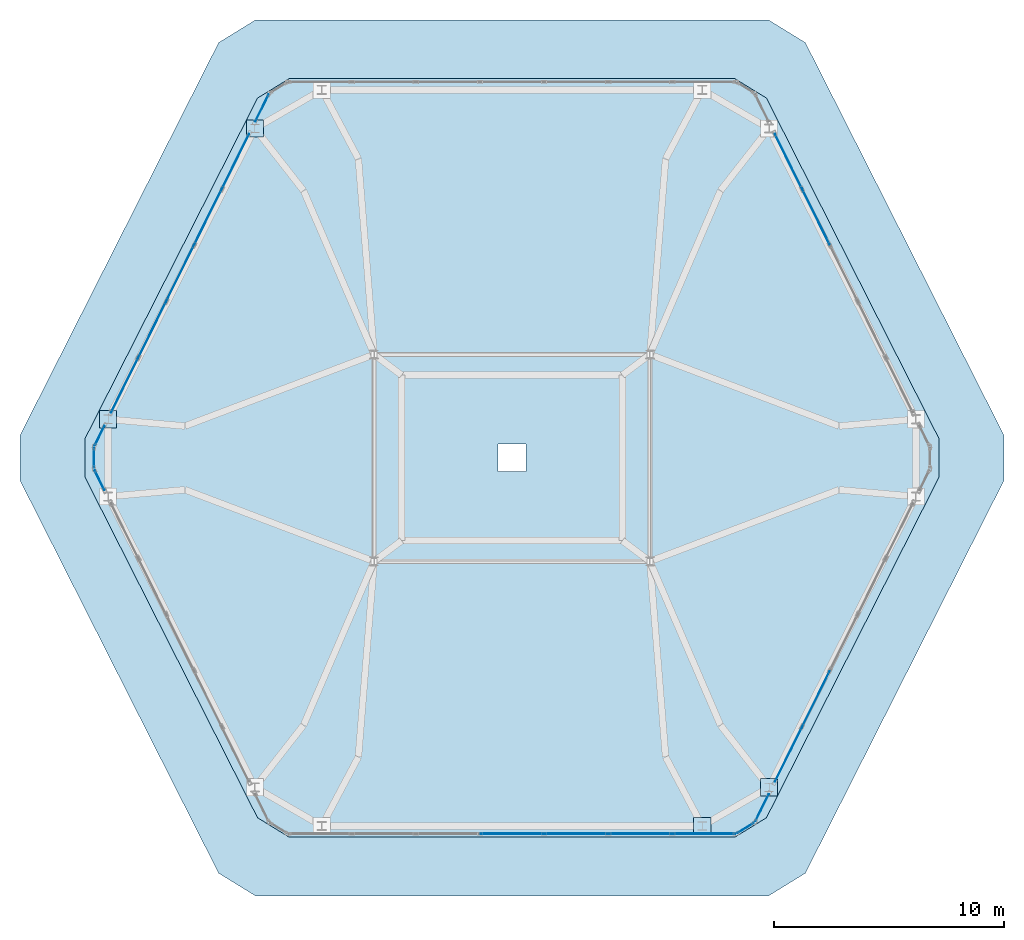
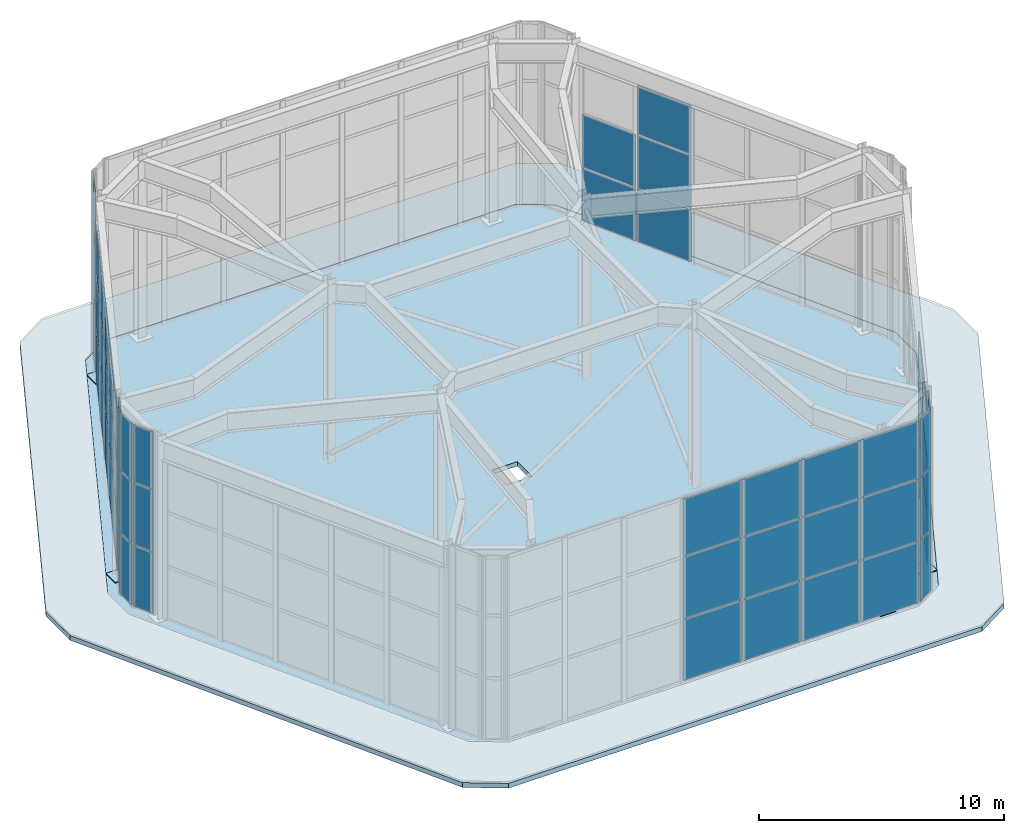
# One storey, part 10 of 12: 60 plates, 2 slabs, 10 elements without a shape of their own.
"""IFC4 building model written with IfcOpenShell, lengths in metres."""

from ifc_helpers import new_model, si_unit, direction, frame, origin, origin_2d, place, context, subcontext, project, spatial, polyline, rectangle, outline, extrude, material, layer, layer_set, type_object, element, aggregate, save


model = new_model("IFC4")

# Units and contexts
model_context = context("Model", 3, precision=1e-05, world=origin(), true_north=direction((0.0, 1.0)))
body_context = subcontext(model_context, "Body", "Model", "MODEL_VIEW")
ifc_project = project(units=[si_unit("LENGTHUNIT", "METRE"), si_unit("AREAUNIT", "SQUARE_METRE"), si_unit("VOLUMEUNIT", "CUBIC_METRE"), si_unit("PLANEANGLEUNIT", "RADIAN"), si_unit("MASSUNIT", "GRAM", prefix="KILO")], contexts=[model_context])

# Site, building, storey
site_placement = place(None, origin())
site = spatial("IfcSite", under=ifc_project, at=site_placement, CompositionType="ELEMENT")
building_placement = place(site_placement, origin())
building = spatial("IfcBuilding", under=site, at=building_placement, Name="Cinnabar Lancet Tower", CompositionType="ELEMENT")
storey_placement = place(building_placement, frame((0.0, 0.0, 305.5)))
storey = spatial("IfcBuildingStorey", under=building, at=storey_placement, Name="L80", CompositionType="ELEMENT", Elevation=305.5)

# Curtain wall, plates
ifc_material_1 = material(Name="Thermally broken bronze-anodized aluminium and low-E glass", Category="aluminium")
ifc_layer_1 = layer(ifc_material_1, 0.179931640625)
ifc_layer_set_1 = layer_set([ifc_layer_1], Name="Thermally broken bronze-anodized aluminium and low-E glass")
curtain_wall_type = type_object("IfcCurtainWallType", Name="ENV-CW-SYS-05", PredefinedType="NOTDEFINED", material=ifc_layer_set_1)
curtain_wall_1_placement = place(storey_placement, origin())
curtain_wall_1 = element("IfcCurtainWall", 1, at=curtain_wall_1_placement, inside=storey, type_object=curtain_wall_type, Name="L80 Faceted Lancet Crown Curtain Wall 2", PredefinedType="NOTDEFINED")
ifc_material_2 = material(Name="Acoustic solar-control low-E laminated glass unit", Category="glass")
ifc_layer_2 = layer(ifc_material_2, 0.035888671875)
ifc_layer_set_2 = layer_set([ifc_layer_2], Name="Acoustic solar-control low-E laminated glass unit")
plate_type_1 = type_object("IfcPlateType", Name="ENV-CW-PNL-36", PredefinedType="CURTAIN_PANEL", material=ifc_layer_set_2)
plate_1_placement = place(storey_placement, frame((32.39990234375, 9.449951171875, 0.06005859375), z_axis=(0.0, 0.0, 1.0), x_axis=(1.0, 0.0, 0.0)))
plate_1 = element("IfcPlate", 2, at=plate_1_placement, type_object=plate_type_1, Name="CW-05 panel 4.1", PredefinedType="CURTAIN_PANEL", context=body_context, shape_type="SweptSolid", body=[
    extrude(rectangle(XDim=2.730224609375, YDim=0.028076171875, at=origin_2d()), origin(), (0.0, 0.0, 1.0), 3.030029296875),
])
plate_2_placement = place(storey_placement, frame((32.39990234375, 9.449951171875, 3.14990234375), z_axis=(0.0, 0.0, 1.0), x_axis=(1.0, 0.0, 0.0)))
plate_2 = element("IfcPlate", 3, at=plate_2_placement, type_object=plate_type_1, Name="CW-05 panel 4.2", PredefinedType="CURTAIN_PANEL", context=body_context, shape_type="SweptSolid", body=[
    extrude(rectangle(XDim=2.730224609375, YDim=0.028076171875, at=origin_2d()), origin(), (0.0, 0.0, 1.0), 3.05908203125),
])
plate_3_placement = place(storey_placement, frame((32.39990234375, 9.449951171875, 6.26904296875), z_axis=(0.0, 0.0, 1.0), x_axis=(1.0, 0.0, 0.0)))
plate_3 = element("IfcPlate", 4, at=plate_3_placement, type_object=plate_type_1, Name="CW-05 panel 4.3", PredefinedType="CURTAIN_PANEL", context=body_context, shape_type="SweptSolid", body=[
    extrude(rectangle(XDim=2.730224609375, YDim=0.028076171875, at=origin_2d()), origin(), (0.0, 0.0, 1.0), 2.845947265625),
])
plate_4_placement = place(storey_placement, frame((35.190185546875, 9.449951171875, 0.06005859375), z_axis=(0.0, 0.0, 1.0), x_axis=(1.0, 0.0, 0.0)))
plate_4 = element("IfcPlate", 5, at=plate_4_placement, type_object=plate_type_1, Name="CW-05 panel 5.1", PredefinedType="CURTAIN_PANEL", context=body_context, shape_type="SweptSolid", body=[
    extrude(rectangle(XDim=2.730224609375, YDim=0.028076171875, at=origin_2d()), origin(), (0.0, 0.0, 1.0), 3.030029296875),
])
plate_5_placement = place(storey_placement, frame((35.190185546875, 9.449951171875, 3.14990234375), z_axis=(0.0, 0.0, 1.0), x_axis=(1.0, 0.0, 0.0)))
plate_5 = element("IfcPlate", 6, at=plate_5_placement, type_object=plate_type_1, Name="CW-05 panel 5.2", PredefinedType="CURTAIN_PANEL", context=body_context, shape_type="SweptSolid", body=[
    extrude(rectangle(XDim=2.730224609375, YDim=0.028076171875, at=origin_2d()), origin(), (0.0, 0.0, 1.0), 3.05908203125),
])
plate_6_placement = place(storey_placement, frame((35.190185546875, 9.449951171875, 6.26904296875), z_axis=(0.0, 0.0, 1.0), x_axis=(1.0, 0.0, 0.0)))
plate_6 = element("IfcPlate", 7, at=plate_6_placement, type_object=plate_type_1, Name="CW-05 panel 5.3", PredefinedType="CURTAIN_PANEL", context=body_context, shape_type="SweptSolid", body=[
    extrude(rectangle(XDim=2.730224609375, YDim=0.028076171875, at=origin_2d()), origin(), (0.0, 0.0, 1.0), 2.845947265625),
])
plate_7_placement = place(storey_placement, frame((37.98046875, 9.449951171875, 0.06005859375), z_axis=(0.0, 0.0, 1.0), x_axis=(1.0, 0.0, 0.0)))
plate_7 = element("IfcPlate", 8, at=plate_7_placement, type_object=plate_type_1, Name="CW-05 panel 6.1", PredefinedType="CURTAIN_PANEL", context=body_context, shape_type="SweptSolid", body=[
    extrude(rectangle(XDim=2.730224609375, YDim=0.028076171875, at=origin_2d()), origin(), (0.0, 0.0, 1.0), 3.030029296875),
])
plate_8_placement = place(storey_placement, frame((37.98046875, 9.449951171875, 3.14990234375), z_axis=(0.0, 0.0, 1.0), x_axis=(1.0, 0.0, 0.0)))
plate_8 = element("IfcPlate", 9, at=plate_8_placement, type_object=plate_type_1, Name="CW-05 panel 6.2", PredefinedType="CURTAIN_PANEL", context=body_context, shape_type="SweptSolid", body=[
    extrude(rectangle(XDim=2.730224609375, YDim=0.028076171875, at=origin_2d()), origin(), (0.0, 0.0, 1.0), 3.05908203125),
])
plate_9_placement = place(storey_placement, frame((37.98046875, 9.449951171875, 6.26904296875), z_axis=(0.0, 0.0, 1.0), x_axis=(1.0, 0.0, 0.0)))
plate_9 = element("IfcPlate", 10, at=plate_9_placement, type_object=plate_type_1, Name="CW-05 panel 6.3", PredefinedType="CURTAIN_PANEL", context=body_context, shape_type="SweptSolid", body=[
    extrude(rectangle(XDim=2.730224609375, YDim=0.028076171875, at=origin_2d()), origin(), (0.0, 0.0, 1.0), 2.845947265625),
])
plate_10_placement = place(storey_placement, frame((40.755859375, 9.449951171875, 0.06005859375), z_axis=(0.0, 0.0, 1.0), x_axis=(1.0, 0.0, 0.0)))
plate_10 = element("IfcPlate", 11, at=plate_10_placement, type_object=plate_type_1, Name="CW-05 panel 7.1", PredefinedType="CURTAIN_PANEL", context=body_context, shape_type="SweptSolid", body=[
    extrude(rectangle(XDim=2.7001953125, YDim=0.028076171875, at=origin_2d()), origin(), (0.0, 0.0, 1.0), 3.030029296875),
])
plate_11_placement = place(storey_placement, frame((40.755859375, 9.449951171875, 3.14990234375), z_axis=(0.0, 0.0, 1.0), x_axis=(1.0, 0.0, 0.0)))
plate_11 = element("IfcPlate", 12, at=plate_11_placement, type_object=plate_type_1, Name="CW-05 panel 7.2", PredefinedType="CURTAIN_PANEL", context=body_context, shape_type="SweptSolid", body=[
    extrude(rectangle(XDim=2.7001953125, YDim=0.028076171875, at=origin_2d()), origin(), (0.0, 0.0, 1.0), 3.05908203125),
])
plate_12_placement = place(storey_placement, frame((40.755859375, 9.449951171875, 6.26904296875), z_axis=(0.0, 0.0, 1.0), x_axis=(1.0, 0.0, 0.0)))
plate_12 = element("IfcPlate", 13, at=plate_12_placement, type_object=plate_type_1, Name="CW-05 panel 7.3", PredefinedType="CURTAIN_PANEL", context=body_context, shape_type="SweptSolid", body=[
    extrude(rectangle(XDim=2.7001953125, YDim=0.028076171875, at=origin_2d()), origin(), (0.0, 0.0, 1.0), 2.845947265625),
])
aggregate(curtain_wall_1, [plate_1, plate_2, plate_3, plate_4, plate_5, plate_6, plate_7, plate_8, plate_9, plate_10, plate_11, plate_12])

curtain_wall_2_placement = place(storey_placement, origin())
curtain_wall_2 = element("IfcCurtainWall", 14, at=curtain_wall_2_placement, inside=storey, type_object=curtain_wall_type, Name="L80 Faceted Lancet Crown Curtain Wall 3", PredefinedType="NOTDEFINED")
plate_13_placement = place(storey_placement, frame((42.56298828125, 9.696533203125, 0.06005859375), z_axis=(0.0, 0.0, 1.0), x_axis=(0.849557497009, 0.527496027734, 0.0)))
plate_13 = element("IfcPlate", 15, at=plate_13_placement, type_object=plate_type_1, Name="CW-05 panel 1.1", PredefinedType="CURTAIN_PANEL", context=body_context, shape_type="SweptSolid", body=[
    extrude(rectangle(XDim=0.814697265625, YDim=0.028076171875, at=origin_2d()), origin(), (0.0, 0.0, 1.0), 3.030029296875),
])
plate_14_placement = place(storey_placement, frame((42.56298828125, 9.696533203125, 3.14990234375), z_axis=(0.0, 0.0, 1.0), x_axis=(0.849557497009, 0.527496027734, 0.0)))
plate_14 = element("IfcPlate", 16, at=plate_14_placement, type_object=plate_type_1, Name="CW-05 panel 1.2", PredefinedType="CURTAIN_PANEL", context=body_context, shape_type="SweptSolid", body=[
    extrude(rectangle(XDim=0.814697265625, YDim=0.028076171875, at=origin_2d()), origin(), (0.0, 0.0, 1.0), 3.05908203125),
])
plate_15_placement = place(storey_placement, frame((42.56298828125, 9.696533203125, 6.26904296875), z_axis=(0.0, 0.0, 1.0), x_axis=(0.849557497009, 0.527496027734, 0.0)))
plate_15 = element("IfcPlate", 17, at=plate_15_placement, type_object=plate_type_1, Name="CW-05 panel 1.3", PredefinedType="CURTAIN_PANEL", context=body_context, shape_type="SweptSolid", body=[
    extrude(rectangle(XDim=0.814697265625, YDim=0.028076171875, at=origin_2d()), origin(), (0.0, 0.0, 1.0), 2.845947265625),
])
aggregate(curtain_wall_2, [plate_13, plate_14, plate_15])

curtain_wall_3_placement = place(storey_placement, origin())
curtain_wall_3 = element("IfcCurtainWall", 18, at=curtain_wall_3_placement, inside=storey, type_object=curtain_wall_type, Name="L80 Faceted Lancet Crown Curtain Wall 4", PredefinedType="NOTDEFINED")
plate_16_placement = place(storey_placement, frame((43.278076171875, 10.583984375, 0.06005859375), z_axis=(0.0, 0.0, 1.0), x_axis=(0.444416340533, 0.895820359373, 0.0)))
plate_16 = element("IfcPlate", 19, at=plate_16_placement, type_object=plate_type_1, Name="CW-05 panel 1.1", PredefinedType="CURTAIN_PANEL", context=body_context, shape_type="SweptSolid", body=[
    extrude(rectangle(XDim=1.31103515625, YDim=0.028076171875, at=origin_2d()), origin(), (0.0, 0.0, 1.0), 3.030029296875),
])
plate_17_placement = place(storey_placement, frame((43.278076171875, 10.583984375, 3.14990234375), z_axis=(0.0, 0.0, 1.0), x_axis=(0.444416340533, 0.895820359373, 0.0)))
plate_17 = element("IfcPlate", 20, at=plate_17_placement, type_object=plate_type_1, Name="CW-05 panel 1.2", PredefinedType="CURTAIN_PANEL", context=body_context, shape_type="SweptSolid", body=[
    extrude(rectangle(XDim=1.31103515625, YDim=0.028076171875, at=origin_2d()), origin(), (0.0, 0.0, 1.0), 3.05908203125),
])
plate_18_placement = place(storey_placement, frame((43.278076171875, 10.583984375, 6.26904296875), z_axis=(0.0, 0.0, 1.0), x_axis=(0.444416340533, 0.895820359373, 0.0)))
plate_18 = element("IfcPlate", 21, at=plate_18_placement, type_object=plate_type_1, Name="CW-05 panel 1.3", PredefinedType="CURTAIN_PANEL", context=body_context, shape_type="SweptSolid", body=[
    extrude(rectangle(XDim=1.31103515625, YDim=0.028076171875, at=origin_2d()), origin(), (0.0, 0.0, 1.0), 2.845947265625),
])
aggregate(curtain_wall_3, [plate_16, plate_17, plate_18])

curtain_wall_4_placement = place(storey_placement, origin())
curtain_wall_4 = element("IfcCurtainWall", 22, at=curtain_wall_4_placement, inside=storey, type_object=curtain_wall_type, Name="L80 Faceted Lancet Crown Curtain Wall 5", PredefinedType="NOTDEFINED")
plate_19_placement = place(storey_placement, frame((44.423095703125, 12.893798828125, 0.06005859375), z_axis=(0.0, 0.0, 1.0), x_axis=(0.44415945955, 0.8959477521, 0.0)))
plate_19 = element("IfcPlate", 23, at=plate_19_placement, type_object=plate_type_1, Name="CW-05 panel 1.1", PredefinedType="CURTAIN_PANEL", context=body_context, shape_type="SweptSolid", body=[
    extrude(rectangle(XDim=2.636474609375, YDim=0.028076171875, at=origin_2d()), origin(), (0.0, 0.0, 1.0), 2.60107421875),
])
plate_20_placement = place(storey_placement, frame((44.423095703125, 12.893798828125, 2.72119140625), z_axis=(0.0, 0.0, 1.0), x_axis=(0.44415945955, 0.8959477521, 0.0)))
plate_20 = element("IfcPlate", 24, at=plate_20_placement, type_object=plate_type_1, Name="CW-05 panel 1.2", PredefinedType="CURTAIN_PANEL", context=body_context, shape_type="SweptSolid", body=[
    extrude(rectangle(XDim=2.636474609375, YDim=0.028076171875, at=origin_2d()), origin(), (0.0, 0.0, 1.0), 2.631103515625),
])
plate_21_placement = place(storey_placement, frame((44.423095703125, 12.893798828125, 5.412109375), z_axis=(0.0, 0.0, 1.0), x_axis=(0.44415945955, 0.8959477521, 0.0)))
plate_21 = element("IfcPlate", 25, at=plate_21_placement, type_object=plate_type_1, Name="CW-05 panel 1.3", PredefinedType="CURTAIN_PANEL", context=body_context, shape_type="SweptSolid", body=[
    extrude(rectangle(XDim=2.636474609375, YDim=0.028076171875, at=origin_2d()), origin(), (0.0, 0.0, 1.0), 2.443115234375),
])
plate_22_placement = place(storey_placement, frame((45.62744140625, 15.3232421875, 0.06005859375), z_axis=(0.0, 0.0, 1.0), x_axis=(0.44415945955, 0.8959477521, 0.0)))
plate_22 = element("IfcPlate", 26, at=plate_22_placement, type_object=plate_type_1, Name="CW-05 panel 2.1", PredefinedType="CURTAIN_PANEL", context=body_context, shape_type="SweptSolid", body=[
    extrude(rectangle(XDim=2.66650390625, YDim=0.028076171875, at=origin_2d()), origin(), (0.0, 0.0, 1.0), 2.60107421875),
])
plate_23_placement = place(storey_placement, frame((45.62744140625, 15.3232421875, 2.72119140625), z_axis=(0.0, 0.0, 1.0), x_axis=(0.44415945955, 0.8959477521, 0.0)))
plate_23 = element("IfcPlate", 27, at=plate_23_placement, type_object=plate_type_1, Name="CW-05 panel 2.2", PredefinedType="CURTAIN_PANEL", context=body_context, shape_type="SweptSolid", body=[
    extrude(rectangle(XDim=2.66650390625, YDim=0.028076171875, at=origin_2d()), origin(), (0.0, 0.0, 1.0), 2.631103515625),
])
plate_24_placement = place(storey_placement, frame((45.62744140625, 15.3232421875, 5.412109375), z_axis=(0.0, 0.0, 1.0), x_axis=(0.44415945955, 0.8959477521, 0.0)))
plate_24 = element("IfcPlate", 28, at=plate_24_placement, type_object=plate_type_1, Name="CW-05 panel 2.3", PredefinedType="CURTAIN_PANEL", context=body_context, shape_type="SweptSolid", body=[
    extrude(rectangle(XDim=2.66650390625, YDim=0.028076171875, at=origin_2d()), origin(), (0.0, 0.0, 1.0), 2.443115234375),
])
aggregate(curtain_wall_4, [plate_19, plate_20, plate_21, plate_22, plate_23, plate_24])

curtain_wall_5_placement = place(storey_placement, origin())
curtain_wall_5 = element("IfcCurtainWall", 29, at=curtain_wall_5_placement, inside=storey, type_object=curtain_wall_type, Name="L80 Faceted Lancet Crown Curtain Wall 9", PredefinedType="NOTDEFINED")
plate_25_placement = place(storey_placement, frame((45.62744140625, 36.27685546875, 0.06005859375), z_axis=(0.0, 0.0, 1.0), x_axis=(-0.44415945955, 0.8959477521, 0.0)))
plate_25 = element("IfcPlate", 30, at=plate_25_placement, type_object=plate_type_1, Name="CW-05 panel 4.1", PredefinedType="CURTAIN_PANEL", context=body_context, shape_type="SweptSolid", body=[
    extrude(rectangle(XDim=2.66650390625, YDim=0.028076171875, at=origin_2d()), origin(), (0.0, 0.0, 1.0), 2.60107421875),
])
plate_26_placement = place(storey_placement, frame((45.62744140625, 36.27685546875, 2.72119140625), z_axis=(0.0, 0.0, 1.0), x_axis=(-0.44415945955, 0.8959477521, 0.0)))
plate_26 = element("IfcPlate", 31, at=plate_26_placement, type_object=plate_type_1, Name="CW-05 panel 4.2", PredefinedType="CURTAIN_PANEL", context=body_context, shape_type="SweptSolid", body=[
    extrude(rectangle(XDim=2.66650390625, YDim=0.028076171875, at=origin_2d()), origin(), (0.0, 0.0, 1.0), 2.631103515625),
])
plate_27_placement = place(storey_placement, frame((45.62744140625, 36.27685546875, 5.412109375), z_axis=(0.0, 0.0, 1.0), x_axis=(-0.44415945955, 0.8959477521, 0.0)))
plate_27 = element("IfcPlate", 32, at=plate_27_placement, type_object=plate_type_1, Name="CW-05 panel 4.3", PredefinedType="CURTAIN_PANEL", context=body_context, shape_type="SweptSolid", body=[
    extrude(rectangle(XDim=2.66650390625, YDim=0.028076171875, at=origin_2d()), origin(), (0.0, 0.0, 1.0), 2.443115234375),
])
plate_28_placement = place(storey_placement, frame((44.423095703125, 38.7060546875, 0.06005859375), z_axis=(0.0, 0.0, 1.0), x_axis=(-0.44415945955, 0.8959477521, 0.0)))
plate_28 = element("IfcPlate", 33, at=plate_28_placement, type_object=plate_type_1, Name="CW-05 panel 5.1", PredefinedType="CURTAIN_PANEL", context=body_context, shape_type="SweptSolid", body=[
    extrude(rectangle(XDim=2.636474609375, YDim=0.028076171875, at=origin_2d()), origin(), (0.0, 0.0, 1.0), 2.60107421875),
])
plate_29_placement = place(storey_placement, frame((44.423095703125, 38.7060546875, 2.72119140625), z_axis=(0.0, 0.0, 1.0), x_axis=(-0.44415945955, 0.8959477521, 0.0)))
plate_29 = element("IfcPlate", 34, at=plate_29_placement, type_object=plate_type_1, Name="CW-05 panel 5.2", PredefinedType="CURTAIN_PANEL", context=body_context, shape_type="SweptSolid", body=[
    extrude(rectangle(XDim=2.636474609375, YDim=0.028076171875, at=origin_2d()), origin(), (0.0, 0.0, 1.0), 2.631103515625),
])
aggregate(curtain_wall_5, [plate_25, plate_26, plate_27, plate_28, plate_29])

curtain_wall_6_placement = place(storey_placement, origin())
curtain_wall_6 = element("IfcCurtainWall", 35, at=curtain_wall_6_placement, inside=storey, type_object=curtain_wall_type, Name="L80 Faceted Lancet Crown Curtain Wall 14", PredefinedType="NOTDEFINED")
plate_30_placement = place(storey_placement, frame((21.52197265625, 41.01611328125, 0.06005859375), z_axis=(0.0, 0.0, 1.0), x_axis=(-0.444416340533, -0.895820359373, 0.0)))
plate_30 = element("IfcPlate", 36, at=plate_30_placement, type_object=plate_type_1, Name="CW-05 panel 1.1", PredefinedType="CURTAIN_PANEL", context=body_context, shape_type="SweptSolid", body=[
    extrude(rectangle(XDim=1.31103515625, YDim=0.028076171875, at=origin_2d()), origin(), (0.0, 0.0, 1.0), 3.030029296875),
])
plate_31_placement = place(storey_placement, frame((21.52197265625, 41.01611328125, 3.14990234375), z_axis=(0.0, 0.0, 1.0), x_axis=(-0.444416340533, -0.895820359373, 0.0)))
plate_31 = element("IfcPlate", 37, at=plate_31_placement, type_object=plate_type_1, Name="CW-05 panel 1.2", PredefinedType="CURTAIN_PANEL", context=body_context, shape_type="SweptSolid", body=[
    extrude(rectangle(XDim=1.31103515625, YDim=0.028076171875, at=origin_2d()), origin(), (0.0, 0.0, 1.0), 3.05908203125),
])
plate_32_placement = place(storey_placement, frame((21.52197265625, 41.01611328125, 6.26904296875), z_axis=(0.0, 0.0, 1.0), x_axis=(-0.444416340533, -0.895820359373, 0.0)))
plate_32 = element("IfcPlate", 38, at=plate_32_placement, type_object=plate_type_1, Name="CW-05 panel 1.3", PredefinedType="CURTAIN_PANEL", context=body_context, shape_type="SweptSolid", body=[
    extrude(rectangle(XDim=1.31103515625, YDim=0.028076171875, at=origin_2d()), origin(), (0.0, 0.0, 1.0), 2.845947265625),
])
aggregate(curtain_wall_6, [plate_30, plate_31, plate_32])

curtain_wall_7_placement = place(storey_placement, origin())
curtain_wall_7 = element("IfcCurtainWall", 39, at=curtain_wall_7_placement, inside=storey, type_object=curtain_wall_type, Name="L80 Faceted Lancet Crown Curtain Wall 15", PredefinedType="NOTDEFINED")
plate_33_placement = place(storey_placement, frame((20.376953125, 38.7060546875, 0.06005859375), z_axis=(0.0, 0.0, 1.0), x_axis=(-0.44415945955, -0.8959477521, 0.0)))
plate_33 = element("IfcPlate", 40, at=plate_33_placement, type_object=plate_type_1, Name="CW-05 panel 1.1", PredefinedType="CURTAIN_PANEL", context=body_context, shape_type="SweptSolid", body=[
    extrude(rectangle(XDim=2.636474609375, YDim=0.028076171875, at=origin_2d()), origin(), (0.0, 0.0, 1.0), 2.60107421875),
])
plate_34_placement = place(storey_placement, frame((20.376953125, 38.7060546875, 2.72119140625), z_axis=(0.0, 0.0, 1.0), x_axis=(-0.44415945955, -0.8959477521, 0.0)))
plate_34 = element("IfcPlate", 41, at=plate_34_placement, type_object=plate_type_1, Name="CW-05 panel 1.2", PredefinedType="CURTAIN_PANEL", context=body_context, shape_type="SweptSolid", body=[
    extrude(rectangle(XDim=2.636474609375, YDim=0.028076171875, at=origin_2d()), origin(), (0.0, 0.0, 1.0), 2.631103515625),
])
plate_35_placement = place(storey_placement, frame((20.376953125, 38.7060546875, 5.412109375), z_axis=(0.0, 0.0, 1.0), x_axis=(-0.44415945955, -0.8959477521, 0.0)))
plate_35 = element("IfcPlate", 42, at=plate_35_placement, type_object=plate_type_1, Name="CW-05 panel 1.3", PredefinedType="CURTAIN_PANEL", context=body_context, shape_type="SweptSolid", body=[
    extrude(rectangle(XDim=2.636474609375, YDim=0.028076171875, at=origin_2d()), origin(), (0.0, 0.0, 1.0), 2.443115234375),
])
plate_36_placement = place(storey_placement, frame((19.172607421875, 36.27685546875, 0.06005859375), z_axis=(0.0, 0.0, 1.0), x_axis=(-0.44415945955, -0.8959477521, 0.0)))
plate_36 = element("IfcPlate", 43, at=plate_36_placement, type_object=plate_type_1, Name="CW-05 panel 2.1", PredefinedType="CURTAIN_PANEL", context=body_context, shape_type="SweptSolid", body=[
    extrude(rectangle(XDim=2.66650390625, YDim=0.028076171875, at=origin_2d()), origin(), (0.0, 0.0, 1.0), 2.60107421875),
])
plate_37_placement = place(storey_placement, frame((19.172607421875, 36.27685546875, 2.72119140625), z_axis=(0.0, 0.0, 1.0), x_axis=(-0.44415945955, -0.8959477521, 0.0)))
plate_37 = element("IfcPlate", 44, at=plate_37_placement, type_object=plate_type_1, Name="CW-05 panel 2.2", PredefinedType="CURTAIN_PANEL", context=body_context, shape_type="SweptSolid", body=[
    extrude(rectangle(XDim=2.66650390625, YDim=0.028076171875, at=origin_2d()), origin(), (0.0, 0.0, 1.0), 2.631103515625),
])
plate_38_placement = place(storey_placement, frame((19.172607421875, 36.27685546875, 5.412109375), z_axis=(0.0, 0.0, 1.0), x_axis=(-0.44415945955, -0.8959477521, 0.0)))
plate_38 = element("IfcPlate", 45, at=plate_38_placement, type_object=plate_type_1, Name="CW-05 panel 2.3", PredefinedType="CURTAIN_PANEL", context=body_context, shape_type="SweptSolid", body=[
    extrude(rectangle(XDim=2.66650390625, YDim=0.028076171875, at=origin_2d()), origin(), (0.0, 0.0, 1.0), 2.443115234375),
])
plate_39_placement = place(storey_placement, frame((17.96142578125, 33.833984375, 0.06005859375), z_axis=(0.0, 0.0, 1.0), x_axis=(-0.44415945955, -0.8959477521, 0.0)))
plate_39 = element("IfcPlate", 46, at=plate_39_placement, type_object=plate_type_1, Name="CW-05 panel 3.1", PredefinedType="CURTAIN_PANEL", context=body_context, shape_type="SweptSolid", body=[
    extrude(rectangle(XDim=2.66650390625, YDim=0.028076171875, at=origin_2d()), origin(), (0.0, 0.0, 1.0), 2.60107421875),
])
plate_40_placement = place(storey_placement, frame((17.96142578125, 33.833984375, 2.72119140625), z_axis=(0.0, 0.0, 1.0), x_axis=(-0.44415945955, -0.8959477521, 0.0)))
plate_40 = element("IfcPlate", 47, at=plate_40_placement, type_object=plate_type_1, Name="CW-05 panel 3.2", PredefinedType="CURTAIN_PANEL", context=body_context, shape_type="SweptSolid", body=[
    extrude(rectangle(XDim=2.66650390625, YDim=0.028076171875, at=origin_2d()), origin(), (0.0, 0.0, 1.0), 2.631103515625),
])
plate_41_placement = place(storey_placement, frame((17.96142578125, 33.833984375, 5.412109375), z_axis=(0.0, 0.0, 1.0), x_axis=(-0.44415945955, -0.8959477521, 0.0)))
plate_41 = element("IfcPlate", 48, at=plate_41_placement, type_object=plate_type_1, Name="CW-05 panel 3.3", PredefinedType="CURTAIN_PANEL", context=body_context, shape_type="SweptSolid", body=[
    extrude(rectangle(XDim=2.66650390625, YDim=0.028076171875, at=origin_2d()), origin(), (0.0, 0.0, 1.0), 2.443115234375),
])
plate_42_placement = place(storey_placement, frame((16.75048828125, 31.39111328125, 0.06005859375), z_axis=(0.0, 0.0, 1.0), x_axis=(-0.44415945955, -0.8959477521, 0.0)))
plate_42 = element("IfcPlate", 49, at=plate_42_placement, type_object=plate_type_1, Name="CW-05 panel 4.1", PredefinedType="CURTAIN_PANEL", context=body_context, shape_type="SweptSolid", body=[
    extrude(rectangle(XDim=2.66650390625, YDim=0.028076171875, at=origin_2d()), origin(), (0.0, 0.0, 1.0), 2.60107421875),
])
plate_43_placement = place(storey_placement, frame((16.75048828125, 31.39111328125, 2.72119140625), z_axis=(0.0, 0.0, 1.0), x_axis=(-0.44415945955, -0.8959477521, 0.0)))
plate_43 = element("IfcPlate", 50, at=plate_43_placement, type_object=plate_type_1, Name="CW-05 panel 4.2", PredefinedType="CURTAIN_PANEL", context=body_context, shape_type="SweptSolid", body=[
    extrude(rectangle(XDim=2.66650390625, YDim=0.028076171875, at=origin_2d()), origin(), (0.0, 0.0, 1.0), 2.631103515625),
])
plate_44_placement = place(storey_placement, frame((16.75048828125, 31.39111328125, 5.412109375), z_axis=(0.0, 0.0, 1.0), x_axis=(-0.44415945955, -0.8959477521, 0.0)))
plate_44 = element("IfcPlate", 51, at=plate_44_placement, type_object=plate_type_1, Name="CW-05 panel 4.3", PredefinedType="CURTAIN_PANEL", context=body_context, shape_type="SweptSolid", body=[
    extrude(rectangle(XDim=2.66650390625, YDim=0.028076171875, at=origin_2d()), origin(), (0.0, 0.0, 1.0), 2.443115234375),
])
plate_45_placement = place(storey_placement, frame((15.546142578125, 28.9619140625, 0.06005859375), z_axis=(0.0, 0.0, 1.0), x_axis=(-0.44415945955, -0.8959477521, 0.0)))
plate_45 = element("IfcPlate", 52, at=plate_45_placement, type_object=plate_type_1, Name="CW-05 panel 5.1", PredefinedType="CURTAIN_PANEL", context=body_context, shape_type="SweptSolid", body=[
    extrude(rectangle(XDim=2.636474609375, YDim=0.028076171875, at=origin_2d()), origin(), (0.0, 0.0, 1.0), 2.60107421875),
])
plate_46_placement = place(storey_placement, frame((15.546142578125, 28.9619140625, 2.72119140625), z_axis=(0.0, 0.0, 1.0), x_axis=(-0.44415945955, -0.8959477521, 0.0)))
plate_46 = element("IfcPlate", 53, at=plate_46_placement, type_object=plate_type_1, Name="CW-05 panel 5.2", PredefinedType="CURTAIN_PANEL", context=body_context, shape_type="SweptSolid", body=[
    extrude(rectangle(XDim=2.636474609375, YDim=0.028076171875, at=origin_2d()), origin(), (0.0, 0.0, 1.0), 2.631103515625),
])
plate_47_placement = place(storey_placement, frame((15.546142578125, 28.9619140625, 5.412109375), z_axis=(0.0, 0.0, 1.0), x_axis=(-0.44415945955, -0.8959477521, 0.0)))
plate_47 = element("IfcPlate", 54, at=plate_47_placement, type_object=plate_type_1, Name="CW-05 panel 5.3", PredefinedType="CURTAIN_PANEL", context=body_context, shape_type="SweptSolid", body=[
    extrude(rectangle(XDim=2.636474609375, YDim=0.028076171875, at=origin_2d()), origin(), (0.0, 0.0, 1.0), 2.443115234375),
])
aggregate(curtain_wall_7, [plate_33, plate_34, plate_35, plate_36, plate_37, plate_38, plate_39, plate_40, plate_41, plate_42, plate_43, plate_44, plate_45, plate_46, plate_47])

curtain_wall_8_placement = place(storey_placement, origin())
curtain_wall_8 = element("IfcCurtainWall", 55, at=curtain_wall_8_placement, inside=storey, type_object=curtain_wall_type, Name="L80 Faceted Lancet Crown Curtain Wall 16", PredefinedType="NOTDEFINED")
plate_48_placement = place(storey_placement, frame((14.458984375, 26.7685546875, 0.06005859375), z_axis=(0.0, 0.0, 1.0), x_axis=(-0.444574345971, -0.895741955534, 0.0)))
plate_48 = element("IfcPlate", 56, at=plate_48_placement, type_object=plate_type_1, Name="CW-05 panel 1.1", PredefinedType="CURTAIN_PANEL", context=body_context, shape_type="SweptSolid", body=[
    extrude(rectangle(XDim=0.941650390625, YDim=0.028076171875, at=origin_2d()), origin(), (0.0, 0.0, 1.0), 3.030029296875),
])
plate_49_placement = place(storey_placement, frame((14.458984375, 26.7685546875, 3.14990234375), z_axis=(0.0, 0.0, 1.0), x_axis=(-0.444574345971, -0.895741955534, 0.0)))
plate_49 = element("IfcPlate", 57, at=plate_49_placement, type_object=plate_type_1, Name="CW-05 panel 1.2", PredefinedType="CURTAIN_PANEL", context=body_context, shape_type="SweptSolid", body=[
    extrude(rectangle(XDim=0.941650390625, YDim=0.028076171875, at=origin_2d()), origin(), (0.0, 0.0, 1.0), 3.05908203125),
])
plate_50_placement = place(storey_placement, frame((14.458984375, 26.7685546875, 6.26904296875), z_axis=(0.0, 0.0, 1.0), x_axis=(-0.444574345971, -0.895741955534, 0.0)))
plate_50 = element("IfcPlate", 58, at=plate_50_placement, type_object=plate_type_1, Name="CW-05 panel 1.3", PredefinedType="CURTAIN_PANEL", context=body_context, shape_type="SweptSolid", body=[
    extrude(rectangle(XDim=0.941650390625, YDim=0.028076171875, at=origin_2d()), origin(), (0.0, 0.0, 1.0), 2.845947265625),
])
aggregate(curtain_wall_8, [plate_48, plate_49, plate_50])

curtain_wall_9_placement = place(storey_placement, origin())
curtain_wall_9 = element("IfcCurtainWall", 59, at=curtain_wall_9_placement, inside=storey, type_object=curtain_wall_type, Name="L80 Faceted Lancet Crown Curtain Wall 17", PredefinedType="NOTDEFINED")
plate_51_placement = place(storey_placement, frame((14.222900390625, 25.800048828125, 0.06005859375), z_axis=(0.0, 0.0, 1.0), x_axis=(0.0, -1.0, 0.0)))
plate_51 = element("IfcPlate", 60, at=plate_51_placement, type_object=plate_type_1, Name="CW-05 panel 1.1", PredefinedType="CURTAIN_PANEL", context=body_context, shape_type="SweptSolid", body=[
    extrude(rectangle(XDim=0.865966796875, YDim=0.028076171875, at=origin_2d()), origin(), (0.0, 0.0, 1.0), 3.030029296875),
])
plate_52_placement = place(storey_placement, frame((14.222900390625, 25.800048828125, 3.14990234375), z_axis=(0.0, 0.0, 1.0), x_axis=(0.0, -1.0, 0.0)))
plate_52 = element("IfcPlate", 61, at=plate_52_placement, type_object=plate_type_1, Name="CW-05 panel 1.2", PredefinedType="CURTAIN_PANEL", context=body_context, shape_type="SweptSolid", body=[
    extrude(rectangle(XDim=0.865966796875, YDim=0.028076171875, at=origin_2d()), origin(), (0.0, 0.0, 1.0), 3.05908203125),
])
plate_53_placement = place(storey_placement, frame((14.222900390625, 25.800048828125, 6.26904296875), z_axis=(0.0, 0.0, 1.0), x_axis=(0.0, -1.0, 0.0)))
plate_53 = element("IfcPlate", 62, at=plate_53_placement, type_object=plate_type_1, Name="CW-05 panel 1.3", PredefinedType="CURTAIN_PANEL", context=body_context, shape_type="SweptSolid", body=[
    extrude(rectangle(XDim=0.865966796875, YDim=0.028076171875, at=origin_2d()), origin(), (0.0, 0.0, 1.0), 2.845947265625),
])
aggregate(curtain_wall_9, [plate_51, plate_52, plate_53])

curtain_wall_10_placement = place(storey_placement, origin())
curtain_wall_10 = element("IfcCurtainWall", 63, at=curtain_wall_10_placement, inside=storey, type_object=curtain_wall_type, Name="L80 Faceted Lancet Crown Curtain Wall 18", PredefinedType="NOTDEFINED")
plate_54_placement = place(storey_placement, frame((14.458984375, 24.83154296875, 0.06005859375), z_axis=(0.0, 0.0, 1.0), x_axis=(0.444574345971, -0.895741955534, 0.0)))
plate_54 = element("IfcPlate", 64, at=plate_54_placement, type_object=plate_type_1, Name="CW-05 panel 1.1", PredefinedType="CURTAIN_PANEL", context=body_context, shape_type="SweptSolid", body=[
    extrude(rectangle(XDim=0.941650390625, YDim=0.028076171875, at=origin_2d()), origin(), (0.0, 0.0, 1.0), 3.030029296875),
])
plate_55_placement = place(storey_placement, frame((14.458984375, 24.83154296875, 3.14990234375), z_axis=(0.0, 0.0, 1.0), x_axis=(0.444574345971, -0.895741955534, 0.0)))
plate_55 = element("IfcPlate", 65, at=plate_55_placement, type_object=plate_type_1, Name="CW-05 panel 1.2", PredefinedType="CURTAIN_PANEL", context=body_context, shape_type="SweptSolid", body=[
    extrude(rectangle(XDim=0.941650390625, YDim=0.028076171875, at=origin_2d()), origin(), (0.0, 0.0, 1.0), 3.05908203125),
])
plate_56_placement = place(storey_placement, frame((14.458984375, 24.83154296875, 6.26904296875), z_axis=(0.0, 0.0, 1.0), x_axis=(0.444574345971, -0.895741955534, 0.0)))
plate_56 = element("IfcPlate", 66, at=plate_56_placement, type_object=plate_type_1, Name="CW-05 panel 1.3", PredefinedType="CURTAIN_PANEL", context=body_context, shape_type="SweptSolid", body=[
    extrude(rectangle(XDim=0.941650390625, YDim=0.028076171875, at=origin_2d()), origin(), (0.0, 0.0, 1.0), 2.845947265625),
])
aggregate(curtain_wall_10, [plate_54, plate_55, plate_56])

# Plates
ifc_material_3 = material(Name="Structural steel S460", Category="steel")
ifc_layer_3 = layer(ifc_material_3, 0.050048828125)
ifc_layer_set_3 = layer_set([ifc_layer_3], Name="Structural steel S460")
plate_type_2 = type_object("IfcPlateType", Name="STR-PL-BASE-50", PredefinedType="SHEET", material=ifc_layer_set_3)
for number, where, z_axis, x_axis, name in (
    (67, (40.675048828125, 9.7890625, 0.0), (0.0, 0.0, 1.0), (1.0, 0.0, 0.0), "L80 Crown Column Base Plate 2"),
    (68, (43.5810546875, 11.468994140625, 0.0), (0.0, 0.0, 1.0), (1.0, 0.0, 0.0), "L80 Crown Column Base Plate 3"),
    (69, (21.218994140625, 40.131103515625, 0.0), (0.0, 0.0, 1.0), (1.0, 0.0, 0.0), "L80 Crown Column Base Plate 9"),
    (70, (14.826904296875, 27.48291015625, 0.0), (0.0, 0.0, 1.0), (1.0, 0.0, 0.0), "L80 Crown Column Base Plate 10"),
):
    element("IfcPlate", number, at=place(storey_placement, frame(where, z_axis=z_axis, x_axis=x_axis)), inside=storey, type_object=plate_type_2, Name=name, PredefinedType="SHEET", context=body_context, shape_type="SweptSolid", body=[
        extrude(rectangle(XDim=0.75, YDim=0.75, at=origin_2d()), origin(), (0.0, 0.0, 1.0), 0.050048828125),
    ])

# Slabs
ifc_material_4 = material(Name="Concrete C45/55", Category="concrete")
ifc_layer_4 = layer(ifc_material_4, 0.219970703125)
ifc_layer_set_4 = layer_set([ifc_layer_4], Name="Concrete C45/55")
slab_type_1 = type_object("IfcSlabType", Name="STR-SLB-ROOF-220", PredefinedType="ROOF", material=ifc_layer_set_4)
slab_1_placement = place(storey_placement, frame((0.0, 0.0, -0.219970703125)))
element("IfcSlab", 71, at=slab_1_placement, inside=storey, type_object=slab_type_1, Name="L80 Crown Structural Deck Roof Slab", PredefinedType="ROOF", context=body_context, shape_type="SweptSolid", body=[
    extrude(outline(polyline([(21.3310546875, 10.14697265625), (22.7099609375, 9.300048828125), (42.090087890625, 9.300048828125), (43.468994140625, 10.14697265625), (50.970947265625, 24.952880859375), (50.970947265625, 26.64697265625), (43.468994140625, 41.452880859375), (42.090087890625, 42.300048828125), (22.7099609375, 42.300048828125), (21.3310546875, 41.452880859375), (13.8291015625, 26.64697265625), (13.8291015625, 24.952880859375), (21.3310546875, 10.14697265625)]), holes=[polyline([(31.800048828125, 25.199951171875), (33.0, 25.199951171875), (33.0, 26.39990234375), (31.800048828125, 26.39990234375), (31.800048828125, 25.199951171875)])]), origin(), (0.0, 0.0, 1.0), 0.219970703125),
])
ifc_material_5 = material(Name="Concrete C45/55", Category="concrete")
ifc_layer_5 = layer(ifc_material_5, 0.239990234375)
ifc_layer_set_5 = layer_set([ifc_layer_5], Name="Concrete C45/55")
slab_type_2 = type_object("IfcSlabType", Name="STR-SLB-ROOF-240", PredefinedType="ROOF", material=ifc_layer_set_5)
slab_2_placement = place(storey_placement, frame((0.0, 0.0, -0.239990234375)))
element("IfcSlab", 72, at=slab_2_placement, inside=storey, type_object=slab_type_2, Name="L80 Crown Step-In Roof Apron", PredefinedType="ROOF", context=body_context, shape_type="SweptSolid", body=[
    extrude(outline(polyline([(19.638916015625, 7.73193359375), (21.236083984375, 6.75), (43.56396484375, 6.75), (45.160888671875, 7.73193359375), (53.802978515625, 24.818115234375), (53.802978515625, 26.781982421875), (45.160888671875, 43.867919921875), (43.56396484375, 44.85009765625), (21.236083984375, 44.85009765625), (19.638916015625, 43.867919921875), (10.9970703125, 26.781982421875), (10.9970703125, 24.818115234375), (19.638916015625, 7.73193359375)]), holes=[polyline([(21.3310546875, 10.14697265625), (22.7099609375, 9.300048828125), (42.090087890625, 9.300048828125), (43.468994140625, 10.14697265625), (50.970947265625, 24.952880859375), (50.970947265625, 26.64697265625), (43.468994140625, 41.452880859375), (42.090087890625, 42.300048828125), (22.7099609375, 42.300048828125), (21.3310546875, 41.452880859375), (13.8291015625, 26.64697265625), (13.8291015625, 24.952880859375), (21.3310546875, 10.14697265625)])]), origin(), (0.0, 0.0, 1.0), 0.239990234375),
])

save(model, "model.ifc")
